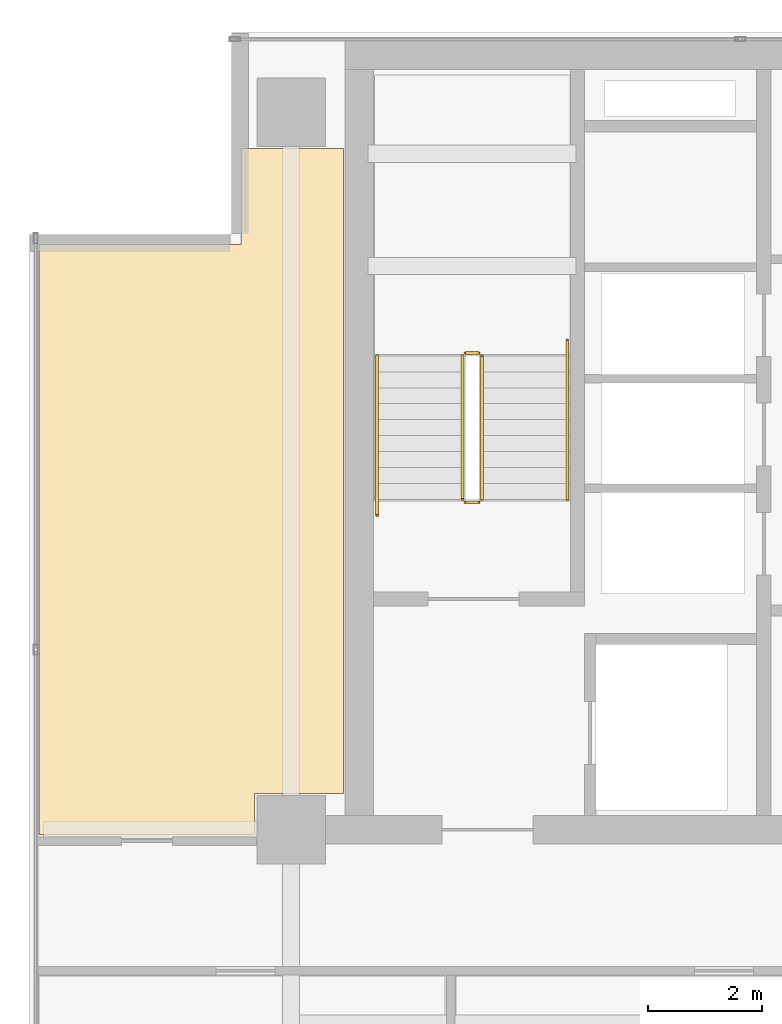
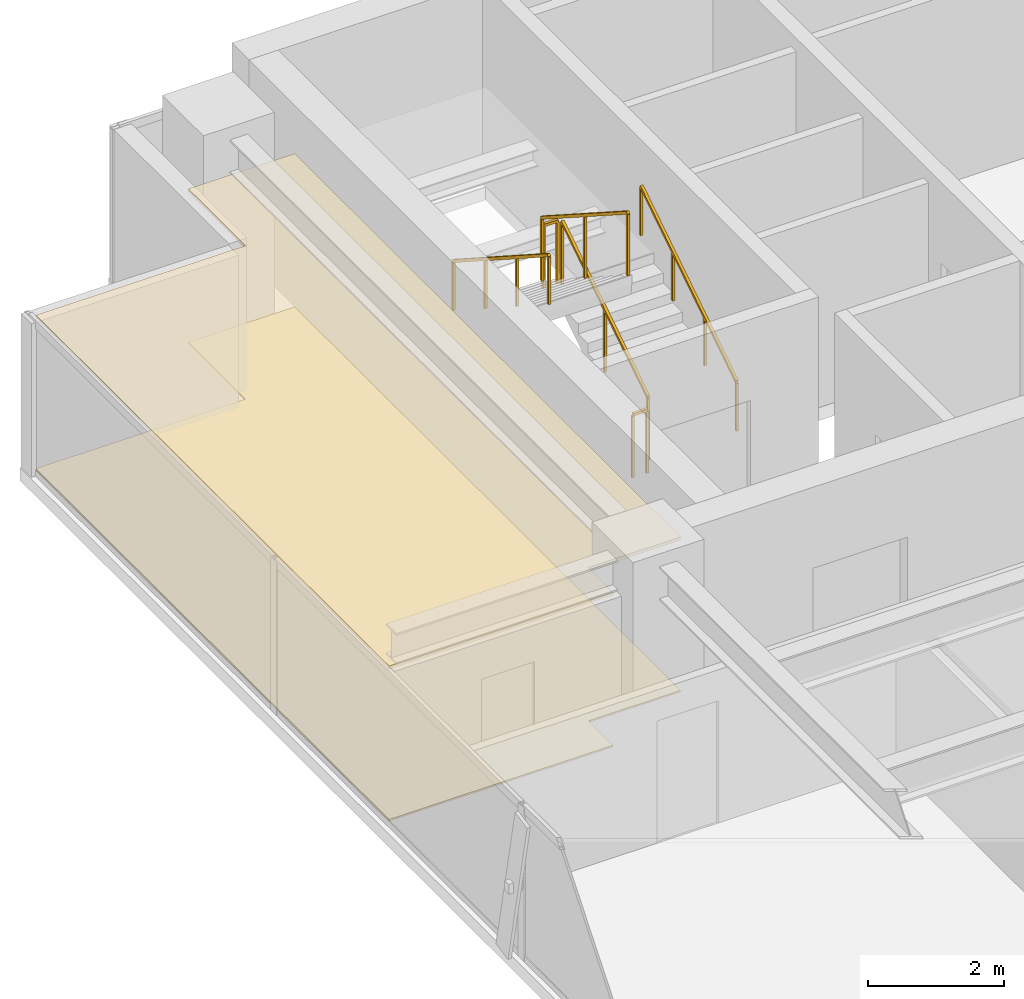
# One storey, part 18 of 20: 6 railings, 2 coverings.
"""IFC4 building model written with IfcOpenShell, lengths in metres."""

import ifcopenshell
import ifcopenshell.guid

model = None  # the IFC model being written
_history = None  # IfcOwnerHistory: only IFC2X3 demands one
_inside = {}  # id of a spatial element -> (the spatial element, [elements in it])
_under = {}  # id of a project, library or spatial element -> (it, [spatial elements below it])
_declared = {}  # id of a project -> (the project, [libraries it declares])
_typed = {}  # id of a type object -> (the type object, [elements of that type])
_made_of = {}  # id of a material, layer set ... -> (it, [elements and type objects made of it])


def new_model(schema):
    """Start an empty IFC model of exactly this schema.

    Asked for "IFC4X3", IfcOpenShell would pick the latest addendum, in which some entities
    have other attributes; the version numbers below select the first issue.
    IFC2X3 requires an IfcOwnerHistory on every rooted entity: one is made here for all.
    """
    global model, _history
    if schema == "IFC4X3":
        model = ifcopenshell.file(schema_version=(4, 3, 0, 0))
    else:
        model = ifcopenshell.file(schema=schema)
    _inside.clear()
    _under.clear()
    _declared.clear()
    _typed.clear()
    _made_of.clear()
    _history = None
    if model.schema == "IFC2X3":
        org = make("IfcOrganization", Name="unknown")
        user = make(
            "IfcPersonAndOrganization",
            ThePerson=make("IfcPerson", FamilyName="unknown"),
            TheOrganization=org,
        )
        app = make(
            "IfcApplication",
            ApplicationDeveloper=org,
            Version="unknown",
            ApplicationFullName="unknown",
            ApplicationIdentifier="unknown",
        )
        _history = make(
            "IfcOwnerHistory",
            OwningUser=user,
            OwningApplication=app,
            ChangeAction="ADDED",
            CreationDate=0,
        )
    return model


def make(cls, **values):
    """One entity of the class cls with the attributes given. An attribute that is None is left unset."""
    return model.create_entity(
        cls, **{name: value for name, value in values.items() if value is not None}
    )


def rooted(cls, **values):
    """An entity with a GlobalId (a new one), such as an element, a storey or a relation."""
    return make(cls, GlobalId=ifcopenshell.guid.new(), OwnerHistory=_history, **values)


def si_unit(unit_type, name, prefix=None):
    """IfcSIUnit, for example si_unit("LENGTHUNIT", "METRE", prefix="MILLI")."""
    return make("IfcSIUnit", UnitType=unit_type, Prefix=prefix, Name=name)


def assignment(units):
    """IfcUnitAssignment: the units of a project."""
    return None if units is None else make("IfcUnitAssignment", Units=units)


def point(xyz):
    """IfcCartesianPoint."""
    return None if xyz is None else make("IfcCartesianPoint", Coordinates=xyz)


def direction(xyz):
    """IfcDirection."""
    return None if xyz is None else make("IfcDirection", DirectionRatios=xyz)


def frame(location, z_axis=None, x_axis=None):
    """IfcAxis2Placement3D, a coordinate frame: its origin and axes. An axis left out is left unset."""
    return make(
        "IfcAxis2Placement3D",
        Location=point(location),
        Axis=direction(z_axis),
        RefDirection=direction(x_axis),
    )


def frame_2d(location, x_axis=None):
    """IfcAxis2Placement2D, a coordinate frame in the plane: its origin and x axis."""
    return make(
        "IfcAxis2Placement2D", Location=point(location), RefDirection=direction(x_axis)
    )


def origin():
    """The frame at (0, 0, 0) with its axes left unset."""
    return frame((0.0, 0.0, 0.0))


def origin_2d():
    """The frame at (0, 0) in the plane with its x axis left unset."""
    return frame_2d((0.0, 0.0))


def place(relative_to, where):
    """IfcLocalPlacement: puts the frame where relative to a parent placement (None: the world)."""
    return make(
        "IfcLocalPlacement", PlacementRelTo=relative_to, RelativePlacement=where
    )


def context(
    kind, dimensions, precision=None, world=None, true_north=None, identifier=None
):
    """IfcGeometricRepresentationContext, for example the 3D "Model" context."""
    return make(
        "IfcGeometricRepresentationContext",
        ContextIdentifier=identifier,
        ContextType=kind,
        CoordinateSpaceDimension=dimensions,
        Precision=precision,
        WorldCoordinateSystem=world,
        TrueNorth=true_north,
    )


def subcontext(parent, identifier, kind, view, scale=None):
    """IfcGeometricRepresentationSubContext, for example "Body" below "Model"."""
    return make(
        "IfcGeometricRepresentationSubContext",
        ContextIdentifier=identifier,
        ContextType=kind,
        ParentContext=parent,
        TargetScale=scale,
        TargetView=view,
    )


def project(units=None, contexts=None):
    """IfcProject with its units and contexts."""
    return rooted(
        "IfcProject",
        Name="project",
        RepresentationContexts=contexts,
        UnitsInContext=assignment(units),
    )


def spatial(cls, under=None, at=None, **own):
    """A site, building, storey or space (cls), placed at a placement, below another one or the project."""
    s = rooted(cls, ObjectPlacement=at, **own)
    if under is not None:
        _under.setdefault(under.id(), (under, []))[1].append(s)
    return s


def polyline(points):
    """IfcPolyline through the points."""
    return make("IfcPolyline", Points=[point(p) for p in points])


def profile(cls, at=None, kind="AREA", **sizes):
    """A parametric profile (cls). Its sizes go by their IFC names, for example OverallWidth=200.0."""
    return make(cls, ProfileType=kind, Position=at, **sizes)


def rectangle(**sizes):
    """IfcRectangleProfileDef."""
    return profile("IfcRectangleProfileDef", **sizes)


def outline(outer, holes=None, kind="AREA"):
    """IfcArbitraryClosedProfileDef: a profile drawn as a closed curve; with holes, ...WithVoids."""
    if holes is None:
        return make("IfcArbitraryClosedProfileDef", ProfileType=kind, OuterCurve=outer)
    return make(
        "IfcArbitraryProfileDefWithVoids",
        ProfileType=kind,
        OuterCurve=outer,
        InnerCurves=holes,
    )


def extrude(swept, where, along, depth):
    """IfcExtrudedAreaSolid: the profile swept, set in the frame where, extruded along a direction by depth."""
    return make(
        "IfcExtrudedAreaSolid",
        SweptArea=swept,
        Position=where,
        ExtrudedDirection=direction(along),
        Depth=depth,
    )


def shape(context_of_items, identifier, shape_type, items):
    """IfcShapeRepresentation: the items that make up one representation, for example the "Body"."""
    return make(
        "IfcShapeRepresentation",
        ContextOfItems=context_of_items,
        RepresentationIdentifier=identifier,
        RepresentationType=shape_type,
        Items=items,
    )


def material(Name=None, Category=None):
    """IfcMaterial."""
    return make("IfcMaterial", Name=Name, Category=Category)


def layer(
    of_material, thickness, ventilated=None, Name=None, Category=None, Priority=None
):
    """IfcMaterialLayer: one layer of a wall or slab, of a material (None: an air gap)."""
    return make(
        "IfcMaterialLayer",
        Material=of_material,
        LayerThickness=thickness,
        IsVentilated=ventilated,
        Name=Name,
        Category=Category,
        Priority=Priority,
    )


def layer_set(layers, Name=None):
    """IfcMaterialLayerSet."""
    return make("IfcMaterialLayerSet", MaterialLayers=layers, LayerSetName=Name)


def made_of(thing, what):
    """Note that an element or type object is made of a material, layer set ...; save() writes the relation."""
    if what is not None:
        _made_of.setdefault(what.id(), (what, []))[1].append(thing)
    return thing


def type_object(cls, material=None, **own):
    """A type object (cls), such as IfcWallType, which elements share."""
    return made_of(rooted(cls, **own), material)


def element(
    cls,
    number,
    at=None,
    inside=None,
    cuts=None,
    type_object=None,
    material=None,
    context=None,
    identifier="Body",
    shape_type=None,
    held_by="IfcProductDefinitionShape",
    body=None,
    shapes=None,
    **own,
):
    """One element of the class cls, such as IfcWall. Its Tag is "e" and its number.

    at: its placement. inside: the storey or other place that contains it. cuts: it is an
    opening in that element (IfcRelVoidsElement). A single representation is given by context,
    identifier, shape_type and body (its items); several are given by shapes. held_by: the class
    of the entity that holds the representations. save() writes the other relations.
    """
    e = rooted(cls, Tag="e%d" % number, ObjectPlacement=at, **own)
    if body is not None:
        shapes = [shape(context, identifier, shape_type, body)]
    if shapes is not None:
        e.Representation = make(held_by, Representations=shapes)
    if inside is not None:
        _inside.setdefault(inside.id(), (inside, []))[1].append(e)
    if cuts is not None:
        rooted(
            "IfcRelVoidsElement", RelatingBuildingElement=cuts, RelatedOpeningElement=e
        )
    if type_object is not None:
        _typed.setdefault(type_object.id(), (type_object, []))[1].append(e)
    return made_of(e, material)


def aggregate(whole, parts):
    """IfcRelAggregates: a whole, such as a stair, and the parts it consists of."""
    return rooted("IfcRelAggregates", RelatingObject=whole, RelatedObjects=parts)


def save(model, path):
    """Write the relations noted so far, then the file.

    IfcRelAggregates (storeys below a building ...), IfcRelContainedInSpatialStructure (elements
    in a storey), IfcRelDefinesByType, IfcRelAssociatesMaterial and IfcRelDeclares: one each for
    every whole, place, type object, material and project.
    """
    for whole, parts in _under.values():
        aggregate(whole, parts)
    for where, things in _inside.values():
        rooted(
            "IfcRelContainedInSpatialStructure",
            RelatedElements=things,
            RelatingStructure=where,
        )
    for kind, things in _typed.values():
        rooted("IfcRelDefinesByType", RelatedObjects=things, RelatingType=kind)
    for what, things in _made_of.values():
        rooted("IfcRelAssociatesMaterial", RelatedObjects=things, RelatingMaterial=what)
    for by, libraries in _declared.values():
        rooted("IfcRelDeclares", RelatingContext=by, RelatedDefinitions=libraries)
    model.write(path)


model = new_model("IFC4")

# Units and contexts
model_context = context("Model", 3, precision=1e-05, world=origin(), true_north=direction((0.0, 1.0)))
body_context = subcontext(model_context, "Body", "Model", "MODEL_VIEW")
ifc_project = project(units=[si_unit("LENGTHUNIT", "METRE"), si_unit("AREAUNIT", "SQUARE_METRE"), si_unit("VOLUMEUNIT", "CUBIC_METRE"), si_unit("PLANEANGLEUNIT", "RADIAN"), si_unit("MASSUNIT", "GRAM", prefix="KILO")], contexts=[model_context])

# Site, building, storey
site_placement = place(None, origin())
site = spatial("IfcSite", under=ifc_project, at=site_placement, CompositionType="ELEMENT")
building_placement = place(site_placement, origin())
building = spatial("IfcBuilding", under=site, at=building_placement, Name="Sumidabori Civic Tower", CompositionType="ELEMENT")
storey_placement = place(building_placement, frame((0.0, 0.0, 282.800048828125)))
storey = spatial("IfcBuildingStorey", under=building, at=storey_placement, Name="L74", CompositionType="ELEMENT", Elevation=282.800048828125)

# Coverings
ifc_material_1 = material(Name="Anodised Bronze Baffle Ceiling")
ifc_layer_1 = layer(ifc_material_1, 0.054931640625, Name="Anodised Bronze Baffle Ceiling")
ifc_layer_set_1 = layer_set([ifc_layer_1], Name="Anodised Bronze Baffle Ceiling")
covering_type_1 = type_object("IfcCoveringType", Name="CV-CEIL-AC3", PredefinedType="CEILING", material=ifc_layer_set_1)
covering_1_placement = place(storey_placement, frame((0.0, 0.0, 2.719970703125)))
element("IfcCovering", 1, at=covering_1_placement, inside=storey, type_object=covering_type_1, Name="Room Acoustic Ceiling L74-01", PredefinedType="CEILING", context=body_context, shape_type="SweptSolid", body=[
    extrude(outline(polyline([(-15.8779296875, 22.159912109375), (-15.8779296875, 10.840087890625), (-17.43994140625, 10.840087890625), (-17.43994140625, 10.1201171875), (-21.22998046875, 10.1201171875), (-21.22998046875, 20.47998046875), (-17.679931640625, 20.47998046875), (-17.679931640625, 22.159912109375), (-15.8779296875, 22.159912109375)])), origin(), (0.0, 0.0, 1.0), 0.054931640625),
])
ifc_material_2 = material(Name="Honed Terrazzo Tile Flooring")
ifc_layer_2 = layer(ifc_material_2, 0.030029296875, Name="Honed Terrazzo Tile Flooring")
ifc_layer_set_2 = layer_set([ifc_layer_2], Name="Honed Terrazzo Tile Flooring")
covering_type_2 = type_object("IfcCoveringType", Name="CV-FLR-TER", PredefinedType="FLOORING", material=ifc_layer_set_2)
covering_2_placement = place(storey_placement, origin())
element("IfcCovering", 2, at=covering_2_placement, inside=storey, type_object=covering_type_2, Name="Room Terrazzo Floor L74-01", PredefinedType="FLOORING", context=body_context, shape_type="SweptSolid", body=[
    extrude(outline(polyline([(-15.8779296875, 22.159912109375), (-15.8779296875, 10.840087890625), (-17.43994140625, 10.840087890625), (-17.43994140625, 10.1201171875), (-21.22998046875, 10.1201171875), (-21.22998046875, 20.47998046875), (-17.679931640625, 20.47998046875), (-17.679931640625, 22.159912109375), (-15.8779296875, 22.159912109375)])), origin(), (0.0, 0.0, 1.0), 0.030029296875),
])

# Railings
ifc_material_3 = material(Name="Stainless Steel Hairline Finish", Category="steel")
railing_type_1 = type_object("IfcRailingType", Name="RL-HANDRAIL", PredefinedType="HANDRAIL", material=ifc_material_3)
railing_1_placement = place(storey_placement, frame((-11.949951171875, 16.0, 0.179931640625)))
element("IfcRailing", 3, at=railing_1_placement, inside=storey, type_object=railing_type_1, Name="L74 ST-1 stair handrail 1", PredefinedType="HANDRAIL", context=body_context, shape_type="SweptSolid", body=[
    extrude(rectangle(XDim=0.048095703125, YDim=0.048095703125, at=origin_2d()), frame((0.0, 0.0, 0.8759765625), z_axis=(0.0, 0.840675598268, 0.541539046124), x_axis=(-1.0, 0.0, 0.0)), (0.0, 0.0, 1.0), 3.330810546875),
    extrude(rectangle(XDim=0.0419921875, YDim=0.0419921875, at=origin_2d()), origin(), (0.0, 0.0, 1.0), 0.851806640625),
    extrude(rectangle(XDim=0.0419921875, YDim=0.0419921875, at=origin_2d()), frame((0.0, 0.933349609375, 0.601318359375)), (0.0, 0.0, 1.0), 0.851806640625),
    extrude(rectangle(XDim=0.0419921875, YDim=0.0419921875, at=origin_2d()), frame((0.0, 1.86669921875, 1.202392578125)), (0.0, 0.0, 1.0), 0.851806640625),
    extrude(rectangle(XDim=0.0419921875, YDim=0.0419921875, at=origin_2d()), frame((0.0, 2.800048828125, 1.8037109375)), (0.0, 0.0, 1.0), 0.851806640625),
])
railing_2_placement = place(storey_placement, frame((-15.2900390625, 18.52001953125, 1.97998046875)))
element("IfcRailing", 4, at=railing_2_placement, inside=storey, type_object=railing_type_1, Name="L74 ST-1 stair handrail 2", PredefinedType="HANDRAIL", context=body_context, shape_type="SweptSolid", body=[
    extrude(rectangle(XDim=0.048095703125, YDim=0.048095703125, at=origin_2d()), frame((0.0, 0.0, 0.8759765625), z_axis=(0.0, -0.840675598268, 0.541539046124), x_axis=(1.0, 0.0, 0.0)), (0.0, 0.0, 1.0), 3.330810546875),
    extrude(rectangle(XDim=0.0419921875, YDim=0.0419921875, at=origin_2d()), origin(), (0.0, 0.0, 1.0), 0.851806640625),
    extrude(rectangle(XDim=0.0419921875, YDim=0.0419921875, at=origin_2d()), frame((0.0, -0.933349609375, 0.601318359375)), (0.0, 0.0, 1.0), 0.851806640625),
    extrude(rectangle(XDim=0.0419921875, YDim=0.0419921875, at=origin_2d()), frame((0.0, -1.86669921875, 1.202392578125)), (0.0, 0.0, 1.0), 0.851806640625),
    extrude(rectangle(XDim=0.0419921875, YDim=0.0419921875, at=origin_2d()), frame((0.0, -2.800048828125, 1.8037109375)), (0.0, 0.0, 1.0), 0.851806640625),
])
ifc_material_4 = material(Name="Steel SN490", Category="steel")
railing_type_2 = type_object("IfcRailingType", Name="RL-STAIR-GUARD", PredefinedType="GUARDRAIL", material=ifc_material_4)
railing_3_placement = place(storey_placement, frame((-13.449951171875, 16.0, 0.179931640625)))
element("IfcRailing", 5, at=railing_3_placement, inside=storey, type_object=railing_type_2, Name="L74 ST-1 stair guard 1", PredefinedType="GUARDRAIL", context=body_context, shape_type="SweptSolid", body=[
    extrude(rectangle(XDim=0.048095703125, YDim=0.048095703125, at=origin_2d()), frame((0.0, 0.0, 1.1259765625), z_axis=(0.0, 0.841162588446, 0.540782303519), x_axis=(-1.0, 0.0, 0.0)), (0.0, 0.0, 1.0), 2.995849609375),
    extrude(rectangle(XDim=0.0419921875, YDim=0.0419921875, at=origin_2d()), origin(), (0.0, 0.0, 1.0), 1.101806640625),
    extrude(rectangle(XDim=0.0419921875, YDim=0.0419921875, at=origin_2d()), frame((0.0, 1.260009765625, 0.81005859375)), (0.0, 0.0, 1.0), 1.101806640625),
    extrude(rectangle(XDim=0.0419921875, YDim=0.0419921875, at=origin_2d()), frame((0.0, 2.52001953125, 1.6201171875)), (0.0, 0.0, 1.0), 1.101806640625),
])
railing_4_placement = place(storey_placement, frame((-13.5, 18.570068359375, 1.800048828125)))
element("IfcRailing", 6, at=railing_4_placement, inside=storey, type_object=railing_type_2, Name="L74 ST-1 stair guard 2", PredefinedType="GUARDRAIL", context=body_context, shape_type="SweptSolid", body=[
    extrude(rectangle(XDim=0.048095703125, YDim=0.048095703125, at=origin_2d()), frame((0.0, 0.0, 1.1259765625), z_axis=(-1.0, 0.0, 0.0), x_axis=(0.0, -1.0, 0.0)), (0.0, 0.0, 1.0), 0.239990234375),
    extrude(rectangle(XDim=0.0419921875, YDim=0.0419921875, at=origin_2d()), origin(), (0.0, 0.0, 1.0), 1.101806640625),
    extrude(rectangle(XDim=0.0419921875, YDim=0.0419921875, at=origin_2d()), frame((-0.239990234375, 0.0, 0.0)), (0.0, 0.0, 1.0), 1.101806640625),
])
railing_5_placement = place(storey_placement, frame((-13.7900390625, 18.52001953125, 1.97998046875)))
element("IfcRailing", 7, at=railing_5_placement, inside=storey, type_object=railing_type_2, Name="L74 ST-1 stair guard 3", PredefinedType="GUARDRAIL", context=body_context, shape_type="SweptSolid", body=[
    extrude(rectangle(XDim=0.048095703125, YDim=0.048095703125, at=origin_2d()), frame((0.0, 0.0, 1.1259765625), z_axis=(0.0, -0.841199657755, 0.540724639528), x_axis=(1.0, 0.0, 0.0)), (0.0, 0.0, 1.0), 2.995849609375),
    extrude(rectangle(XDim=0.0419921875, YDim=0.0419921875, at=origin_2d()), origin(), (0.0, 0.0, 1.0), 1.101806640625),
    extrude(rectangle(XDim=0.0419921875, YDim=0.0419921875, at=origin_2d()), frame((0.0, -1.260009765625, 0.81005859375)), (0.0, 0.0, 1.0), 1.101806640625),
    extrude(rectangle(XDim=0.0419921875, YDim=0.0419921875, at=origin_2d()), frame((0.0, -2.52001953125, 1.619873046875)), (0.0, 0.0, 1.0), 1.101806640625),
])
railing_6_placement = place(storey_placement, frame((-13.5, 15.949951171875, 0.0)))
element("IfcRailing", 8, at=railing_6_placement, inside=storey, type_object=railing_type_2, Name="L74 ST-1 stair guard 4", PredefinedType="GUARDRAIL", context=body_context, shape_type="SweptSolid", body=[
    extrude(rectangle(XDim=0.048095703125, YDim=0.048095703125, at=origin_2d()), frame((0.0, 0.0, 1.1259765625), z_axis=(-1.0, 0.0, 0.0), x_axis=(0.0, -1.0, 0.0)), (0.0, 0.0, 1.0), 0.239990234375),
    extrude(rectangle(XDim=0.0419921875, YDim=0.0419921875, at=origin_2d()), origin(), (0.0, 0.0, 1.0), 1.101806640625),
    extrude(rectangle(XDim=0.0419921875, YDim=0.0419921875, at=origin_2d()), frame((-0.239990234375, 0.0, 0.0)), (0.0, 0.0, 1.0), 1.101806640625),
])

save(model, "model.ifc")
